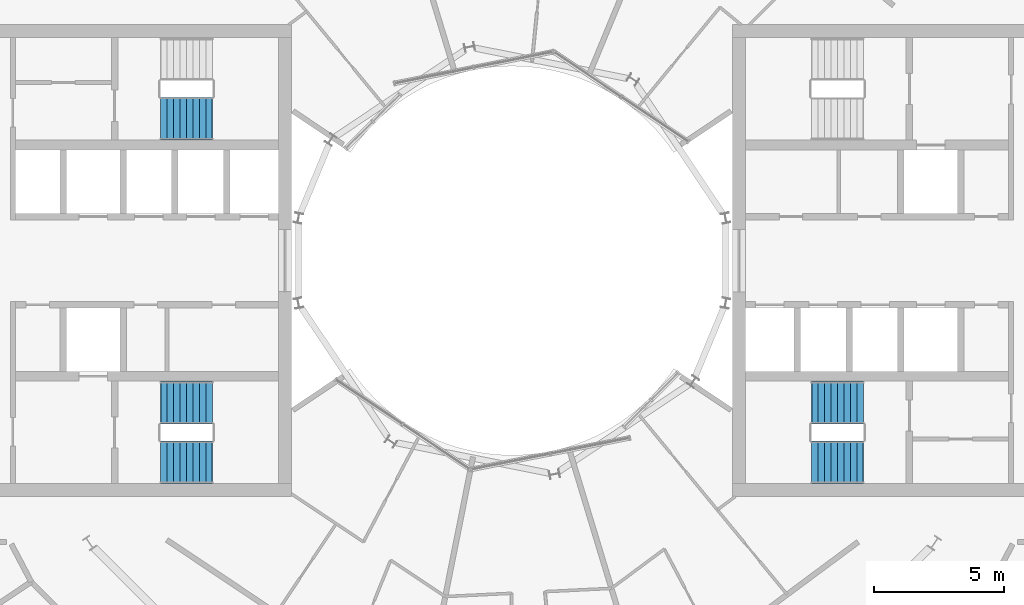
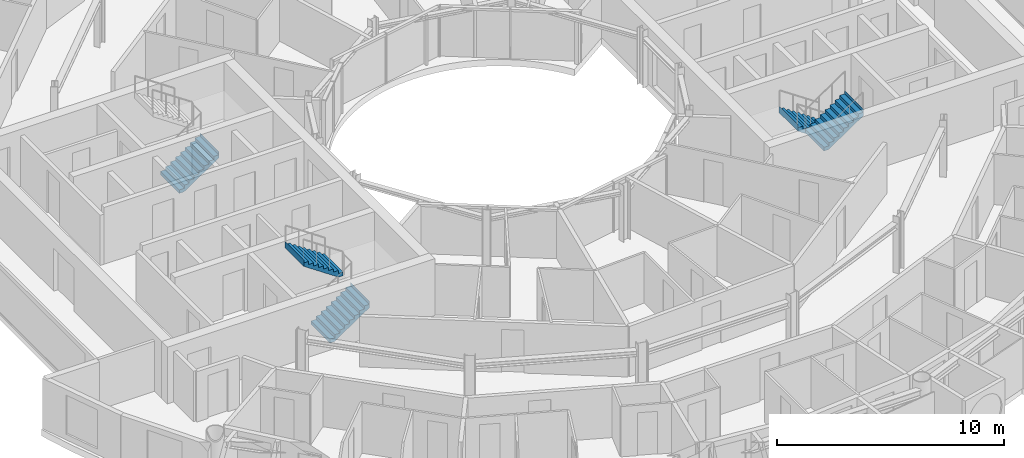
# One storey, part 24 of 27: 5 stair flights, 3 elements without a shape of their own.
"""IFC4 building model written with IfcOpenShell, lengths in metres."""

from ifc_helpers import new_model, si_unit, direction, frame, origin, place, context, subcontext, project, spatial, triangles, material, type_object, element, aggregate, save


model = new_model("IFC4")

# Units and contexts
model_context = context("Model", 3, precision=1e-05, world=origin(), true_north=direction((0.0, 1.0)))
body_context = subcontext(model_context, "Body", "Model", "MODEL_VIEW")
ifc_project = project(units=[si_unit("LENGTHUNIT", "METRE"), si_unit("AREAUNIT", "SQUARE_METRE"), si_unit("VOLUMEUNIT", "CUBIC_METRE"), si_unit("PLANEANGLEUNIT", "RADIAN"), si_unit("MASSUNIT", "GRAM", prefix="KILO")], contexts=[model_context])

# Site, building, storey
site_placement = place(None, origin())
site = spatial("IfcSite", under=ifc_project, at=site_placement, CompositionType="ELEMENT")
building_placement = place(site_placement, origin())
building = spatial("IfcBuilding", under=site, at=building_placement, Name="Maasbend Ring Residences", CompositionType="ELEMENT")
storey_placement = place(building_placement, frame((0.0, 0.0, 167.699951171875)))
storey = spatial("IfcBuildingStorey", under=building, at=storey_placement, Name="L48", CompositionType="ELEMENT", Elevation=167.699951171875)

# Stair, stair flights
ifc_material_1 = material(Name="Concrete C40/50", Category="concrete")
stair_type = type_object("IfcStairType", Name="CORE STAIR 18 RISERS", PredefinedType="HALF_TURN_STAIR", material=ifc_material_1)
stair_1_placement = place(storey_placement, origin())
stair_1 = element("IfcStair", 1, at=stair_1_placement, inside=storey, type_object=stair_type, Name="L48 Exit stair ST-E2", PredefinedType="HALF_TURN_STAIR")
ifc_material_2 = material(Name="Concrete C40/50", Category="concrete")
stair_flight_type = type_object("IfcStairFlightType", Name="CORE STAIR FLIGHT 1650", PredefinedType="STRAIGHT", material=ifc_material_2)
stair_flight_1_placement = place(storey_placement, frame((13.550048828125, -5.47509765625, 0.0), z_axis=(0.0, 0.0, 1.0), x_axis=(-1.0, 0.0, 0.0)))
stair_flight_1 = element("IfcStairFlight", 2, at=stair_flight_1_placement, type_object=stair_flight_type, Name="ST-E2 flight 1", NumberOfRisers=9, NumberOfTreads=8, PredefinedType="STRAIGHT", RiserHeight=0.169444444, TreadLength=0.25, context=body_context, shape_type="Tessellation", body=[
    triangles([(0.24072265625, 0.824951171875, -0.02001953125), (2.0029296875, 0.824951171875, 1.174560546875), (2.0029296875, 0.824951171875, 1.52490234375), (1.989990234375, 0.824951171875, 1.35546875), (1.75, 0.824951171875, 1.35546875), (1.75, 0.824951171875, 1.18603515625), (1.5, 0.824951171875, 1.18603515625), (1.5, 0.824951171875, 1.0166015625), (1.25, 0.824951171875, 1.0166015625), (1.25, 0.824951171875, 0.84716796875), (1.0, 0.824951171875, 0.84716796875), (1.0, 0.824951171875, 0.677734375), (0.75, 0.824951171875, 0.677734375), (0.75, 0.824951171875, 0.50830078125), (0.5, 0.824951171875, 0.50830078125), (0.5, 0.824951171875, 0.3388671875), (0.25, 0.824951171875, 0.3388671875), (0.25, 0.824951171875, 0.16943359375), (0.0, 0.824951171875, 0.16943359375), (0.0, 0.824951171875, 0.0), (-0.0029296875, 0.824951171875, 0.0), (-0.0029296875, 0.824951171875, -0.02001953125), (0.24072265625, 0.27490234375, -0.02001953125), (2.0029296875, 0.27490234375, 1.174560546875), (2.0029296875, 0.27490234375, 1.52490234375), (1.989990234375, 0.27490234375, 1.35546875), (1.75, 0.27490234375, 1.35546875), (1.75, 0.27490234375, 1.18603515625), (1.5, 0.27490234375, 1.18603515625), (1.5, 0.27490234375, 1.0166015625), (1.25, 0.27490234375, 1.0166015625), (1.25, 0.27490234375, 0.84716796875), (1.0, 0.27490234375, 0.84716796875), (1.0, 0.27490234375, 0.677734375), (0.75, 0.27490234375, 0.677734375), (0.75, 0.27490234375, 0.50830078125), (0.5, 0.27490234375, 0.50830078125), (0.5, 0.27490234375, 0.3388671875), (0.25, 0.27490234375, 0.3388671875), (0.25, 0.27490234375, 0.16943359375), (0.0, 0.27490234375, 0.16943359375), (0.0, 0.27490234375, 0.0), (-0.0029296875, 0.27490234375, 0.0), (-0.0029296875, 0.27490234375, -0.02001953125), (0.24072265625, -0.27490234375, -0.02001953125), (2.0029296875, -0.27490234375, 1.174560546875), (2.0029296875, -0.27490234375, 1.52490234375), (1.989990234375, -0.27490234375, 1.35546875), (1.75, -0.27490234375, 1.35546875), (1.75, -0.27490234375, 1.18603515625), (1.5, -0.27490234375, 1.18603515625), (1.5, -0.27490234375, 1.0166015625), (1.25, -0.27490234375, 1.0166015625), (1.25, -0.27490234375, 0.84716796875), (1.0, -0.27490234375, 0.84716796875), (1.0, -0.27490234375, 0.677734375), (0.75, -0.27490234375, 0.677734375), (0.75, -0.27490234375, 0.50830078125), (0.5, -0.27490234375, 0.50830078125), (0.5, -0.27490234375, 0.3388671875), (0.25, -0.27490234375, 0.3388671875), (0.25, -0.27490234375, 0.16943359375), (0.0, -0.27490234375, 0.16943359375), (0.0, -0.27490234375, 0.0), (-0.0029296875, -0.27490234375, 0.0), (-0.0029296875, -0.27490234375, -0.02001953125), (0.24072265625, -0.824951171875, -0.02001953125), (2.0029296875, -0.824951171875, 1.174560546875), (2.0029296875, -0.824951171875, 1.52490234375), (1.989990234375, -0.824951171875, 1.35546875), (1.75, -0.824951171875, 1.35546875), (1.75, -0.824951171875, 1.18603515625), (1.5, -0.824951171875, 1.18603515625), (1.5, -0.824951171875, 1.0166015625), (1.25, -0.824951171875, 1.0166015625), (1.25, -0.824951171875, 0.84716796875), (1.0, -0.824951171875, 0.84716796875), (1.0, -0.824951171875, 0.677734375), (0.75, -0.824951171875, 0.677734375), (0.75, -0.824951171875, 0.50830078125), (0.5, -0.824951171875, 0.50830078125), (0.5, -0.824951171875, 0.3388671875), (0.25, -0.824951171875, 0.3388671875), (0.25, -0.824951171875, 0.16943359375), (0.0, -0.824951171875, 0.16943359375), (0.0, -0.824951171875, 0.0), (-0.0029296875, -0.824951171875, 0.0), (-0.0029296875, -0.824951171875, -0.02001953125)], [[1, 2, 24], [1, 24, 23], [23, 24, 46], [23, 46, 45], [45, 46, 68], [45, 68, 67], [2, 3, 25], [2, 25, 24], [24, 25, 47], [24, 47, 46], [46, 47, 69], [46, 69, 68], [3, 4, 26], [3, 26, 25], [25, 26, 48], [25, 48, 47], [47, 48, 70], [47, 70, 69], [4, 5, 27], [4, 27, 26], [26, 27, 49], [26, 49, 48], [48, 49, 71], [48, 71, 70], [5, 6, 28], [5, 28, 27], [27, 28, 50], [27, 50, 49], [49, 50, 72], [49, 72, 71], [6, 7, 29], [6, 29, 28], [28, 29, 51], [28, 51, 50], [50, 51, 73], [50, 73, 72], [7, 8, 30], [7, 30, 29], [29, 30, 52], [29, 52, 51], [51, 52, 74], [51, 74, 73], [8, 9, 31], [8, 31, 30], [30, 31, 53], [30, 53, 52], [52, 53, 75], [52, 75, 74], [9, 10, 32], [9, 32, 31], [31, 32, 54], [31, 54, 53], [53, 54, 76], [53, 76, 75], [10, 11, 33], [10, 33, 32], [32, 33, 55], [32, 55, 54], [54, 55, 77], [54, 77, 76], [11, 12, 34], [11, 34, 33], [33, 34, 56], [33, 56, 55], [55, 56, 78], [55, 78, 77], [12, 13, 35], [12, 35, 34], [34, 35, 57], [34, 57, 56], [56, 57, 79], [56, 79, 78], [13, 14, 36], [13, 36, 35], [35, 36, 58], [35, 58, 57], [57, 58, 80], [57, 80, 79], [14, 15, 37], [14, 37, 36], [36, 37, 59], [36, 59, 58], [58, 59, 81], [58, 81, 80], [15, 16, 38], [15, 38, 37], [37, 38, 60], [37, 60, 59], [59, 60, 82], [59, 82, 81], [16, 17, 39], [16, 39, 38], [38, 39, 61], [38, 61, 60], [60, 61, 83], [60, 83, 82], [17, 18, 40], [17, 40, 39], [39, 40, 62], [39, 62, 61], [61, 62, 84], [61, 84, 83], [18, 19, 41], [18, 41, 40], [40, 41, 63], [40, 63, 62], [62, 63, 85], [62, 85, 84], [19, 20, 42], [19, 42, 41], [41, 42, 64], [41, 64, 63], [63, 64, 86], [63, 86, 85], [20, 21, 43], [20, 43, 42], [42, 43, 65], [42, 65, 64], [64, 65, 87], [64, 87, 86], [21, 22, 44], [21, 44, 43], [43, 44, 66], [43, 66, 65], [65, 66, 88], [65, 88, 87], [22, 1, 23], [22, 23, 44], [44, 23, 45], [44, 45, 66], [66, 45, 67], [66, 67, 88], [22, 2, 1], [2, 4, 3], [2, 5, 4], [2, 6, 5], [22, 6, 2], [6, 8, 7], [22, 8, 6], [8, 10, 9], [22, 10, 8], [10, 12, 11], [22, 12, 10], [12, 14, 13], [22, 14, 12], [14, 16, 15], [22, 16, 14], [16, 18, 17], [22, 18, 16], [18, 20, 19], [22, 20, 18], [20, 22, 21], [88, 67, 68], [68, 69, 70], [68, 70, 71], [68, 71, 72], [88, 68, 72], [72, 73, 74], [88, 72, 74], [74, 75, 76], [88, 74, 76], [76, 77, 78], [88, 76, 78], [78, 79, 80], [88, 78, 80], [80, 81, 82], [88, 80, 82], [82, 83, 84], [88, 82, 84], [84, 85, 86], [88, 84, 86], [86, 87, 88]], closed=True),
])
stair_flight_2_placement = place(storey_placement, frame((11.550048828125, -7.77490234375, 1.525146484375), z_axis=(0.0, 0.0, 1.0), x_axis=(1.0, 0.0, 0.0)))
stair_flight_2 = element("IfcStairFlight", 3, at=stair_flight_2_placement, type_object=stair_flight_type, Name="ST-E2 flight 2", NumberOfRisers=9, NumberOfTreads=8, PredefinedType="STRAIGHT", RiserHeight=0.169444444, TreadLength=0.25, context=body_context, shape_type="Tessellation", body=[
    triangles([(0.24072265625, 0.824951171875, -0.02001953125), (2.0029296875, 0.824951171875, 1.174560546875), (2.0029296875, 0.824951171875, 1.52490234375), (1.989990234375, 0.824951171875, 1.35546875), (1.75, 0.824951171875, 1.35546875), (1.75, 0.824951171875, 1.18603515625), (1.5, 0.824951171875, 1.18603515625), (1.5, 0.824951171875, 1.0166015625), (1.25, 0.824951171875, 1.0166015625), (1.25, 0.824951171875, 0.84716796875), (1.0, 0.824951171875, 0.84716796875), (1.0, 0.824951171875, 0.677734375), (0.75, 0.824951171875, 0.677734375), (0.75, 0.824951171875, 0.50830078125), (0.5, 0.824951171875, 0.50830078125), (0.5, 0.824951171875, 0.3388671875), (0.25, 0.824951171875, 0.3388671875), (0.25, 0.824951171875, 0.16943359375), (0.0, 0.824951171875, 0.16943359375), (0.0, 0.824951171875, 0.0), (-0.0029296875, 0.824951171875, 0.0), (-0.0029296875, 0.824951171875, -0.02001953125), (0.24072265625, 0.27490234375, -0.02001953125), (2.0029296875, 0.27490234375, 1.174560546875), (2.0029296875, 0.27490234375, 1.52490234375), (1.989990234375, 0.27490234375, 1.35546875), (1.75, 0.27490234375, 1.35546875), (1.75, 0.27490234375, 1.18603515625), (1.5, 0.27490234375, 1.18603515625), (1.5, 0.27490234375, 1.0166015625), (1.25, 0.27490234375, 1.0166015625), (1.25, 0.27490234375, 0.84716796875), (1.0, 0.27490234375, 0.84716796875), (1.0, 0.27490234375, 0.677734375), (0.75, 0.27490234375, 0.677734375), (0.75, 0.27490234375, 0.50830078125), (0.5, 0.27490234375, 0.50830078125), (0.5, 0.27490234375, 0.3388671875), (0.25, 0.27490234375, 0.3388671875), (0.25, 0.27490234375, 0.16943359375), (0.0, 0.27490234375, 0.16943359375), (0.0, 0.27490234375, 0.0), (-0.0029296875, 0.27490234375, 0.0), (-0.0029296875, 0.27490234375, -0.02001953125), (0.24072265625, -0.27490234375, -0.02001953125), (2.0029296875, -0.27490234375, 1.174560546875), (2.0029296875, -0.27490234375, 1.52490234375), (1.989990234375, -0.27490234375, 1.35546875), (1.75, -0.27490234375, 1.35546875), (1.75, -0.27490234375, 1.18603515625), (1.5, -0.27490234375, 1.18603515625), (1.5, -0.27490234375, 1.0166015625), (1.25, -0.27490234375, 1.0166015625), (1.25, -0.27490234375, 0.84716796875), (1.0, -0.27490234375, 0.84716796875), (1.0, -0.27490234375, 0.677734375), (0.75, -0.27490234375, 0.677734375), (0.75, -0.27490234375, 0.50830078125), (0.5, -0.27490234375, 0.50830078125), (0.5, -0.27490234375, 0.3388671875), (0.25, -0.27490234375, 0.3388671875), (0.25, -0.27490234375, 0.16943359375), (0.0, -0.27490234375, 0.16943359375), (0.0, -0.27490234375, 0.0), (-0.0029296875, -0.27490234375, 0.0), (-0.0029296875, -0.27490234375, -0.02001953125), (0.24072265625, -0.824951171875, -0.02001953125), (2.0029296875, -0.824951171875, 1.174560546875), (2.0029296875, -0.824951171875, 1.52490234375), (1.989990234375, -0.824951171875, 1.35546875), (1.75, -0.824951171875, 1.35546875), (1.75, -0.824951171875, 1.18603515625), (1.5, -0.824951171875, 1.18603515625), (1.5, -0.824951171875, 1.0166015625), (1.25, -0.824951171875, 1.0166015625), (1.25, -0.824951171875, 0.84716796875), (1.0, -0.824951171875, 0.84716796875), (1.0, -0.824951171875, 0.677734375), (0.75, -0.824951171875, 0.677734375), (0.75, -0.824951171875, 0.50830078125), (0.5, -0.824951171875, 0.50830078125), (0.5, -0.824951171875, 0.3388671875), (0.25, -0.824951171875, 0.3388671875), (0.25, -0.824951171875, 0.16943359375), (0.0, -0.824951171875, 0.16943359375), (0.0, -0.824951171875, 0.0), (-0.0029296875, -0.824951171875, 0.0), (-0.0029296875, -0.824951171875, -0.02001953125)], [[1, 2, 24], [1, 24, 23], [23, 24, 46], [23, 46, 45], [45, 46, 68], [45, 68, 67], [2, 3, 25], [2, 25, 24], [24, 25, 47], [24, 47, 46], [46, 47, 69], [46, 69, 68], [3, 4, 26], [3, 26, 25], [25, 26, 48], [25, 48, 47], [47, 48, 70], [47, 70, 69], [4, 5, 27], [4, 27, 26], [26, 27, 49], [26, 49, 48], [48, 49, 71], [48, 71, 70], [5, 6, 28], [5, 28, 27], [27, 28, 50], [27, 50, 49], [49, 50, 72], [49, 72, 71], [6, 7, 29], [6, 29, 28], [28, 29, 51], [28, 51, 50], [50, 51, 73], [50, 73, 72], [7, 8, 30], [7, 30, 29], [29, 30, 52], [29, 52, 51], [51, 52, 74], [51, 74, 73], [8, 9, 31], [8, 31, 30], [30, 31, 53], [30, 53, 52], [52, 53, 75], [52, 75, 74], [9, 10, 32], [9, 32, 31], [31, 32, 54], [31, 54, 53], [53, 54, 76], [53, 76, 75], [10, 11, 33], [10, 33, 32], [32, 33, 55], [32, 55, 54], [54, 55, 77], [54, 77, 76], [11, 12, 34], [11, 34, 33], [33, 34, 56], [33, 56, 55], [55, 56, 78], [55, 78, 77], [12, 13, 35], [12, 35, 34], [34, 35, 57], [34, 57, 56], [56, 57, 79], [56, 79, 78], [13, 14, 36], [13, 36, 35], [35, 36, 58], [35, 58, 57], [57, 58, 80], [57, 80, 79], [14, 15, 37], [14, 37, 36], [36, 37, 59], [36, 59, 58], [58, 59, 81], [58, 81, 80], [15, 16, 38], [15, 38, 37], [37, 38, 60], [37, 60, 59], [59, 60, 82], [59, 82, 81], [16, 17, 39], [16, 39, 38], [38, 39, 61], [38, 61, 60], [60, 61, 83], [60, 83, 82], [17, 18, 40], [17, 40, 39], [39, 40, 62], [39, 62, 61], [61, 62, 84], [61, 84, 83], [18, 19, 41], [18, 41, 40], [40, 41, 63], [40, 63, 62], [62, 63, 85], [62, 85, 84], [19, 20, 42], [19, 42, 41], [41, 42, 64], [41, 64, 63], [63, 64, 86], [63, 86, 85], [20, 21, 43], [20, 43, 42], [42, 43, 65], [42, 65, 64], [64, 65, 87], [64, 87, 86], [21, 22, 44], [21, 44, 43], [43, 44, 66], [43, 66, 65], [65, 66, 88], [65, 88, 87], [22, 1, 23], [22, 23, 44], [44, 23, 45], [44, 45, 66], [66, 45, 67], [66, 67, 88], [22, 2, 1], [2, 4, 3], [2, 5, 4], [2, 6, 5], [22, 6, 2], [6, 8, 7], [22, 8, 6], [8, 10, 9], [22, 10, 8], [10, 12, 11], [22, 12, 10], [12, 14, 13], [22, 14, 12], [14, 16, 15], [22, 16, 14], [16, 18, 17], [22, 18, 16], [18, 20, 19], [22, 20, 18], [20, 22, 21], [88, 67, 68], [68, 69, 70], [68, 70, 71], [68, 71, 72], [88, 68, 72], [72, 73, 74], [88, 72, 74], [74, 75, 76], [88, 74, 76], [76, 77, 78], [88, 76, 78], [78, 79, 80], [88, 78, 80], [80, 81, 82], [88, 80, 82], [82, 83, 84], [88, 82, 84], [84, 85, 86], [88, 84, 86], [86, 87, 88]], closed=True),
])
aggregate(stair_1, [stair_flight_1, stair_flight_2])

stair_2_placement = place(storey_placement, origin())
stair_2 = element("IfcStair", 4, at=stair_2_placement, inside=storey, type_object=stair_type, Name="L48 Exit stair ST-W1", PredefinedType="HALF_TURN_STAIR")
stair_flight_3_placement = place(storey_placement, frame((-13.550048828125, -7.77490234375, 0.0), z_axis=(0.0, 0.0, 1.0), x_axis=(1.0, 0.0, 0.0)))
stair_flight_3 = element("IfcStairFlight", 5, at=stair_flight_3_placement, type_object=stair_flight_type, Name="ST-W1 flight 1", NumberOfRisers=9, NumberOfTreads=8, PredefinedType="STRAIGHT", RiserHeight=0.169444444, TreadLength=0.25, context=body_context, shape_type="Tessellation", body=[
    triangles([(0.24072265625, 0.824951171875, -0.02001953125), (2.0029296875, 0.824951171875, 1.174560546875), (2.0029296875, 0.824951171875, 1.52490234375), (1.989990234375, 0.824951171875, 1.35546875), (1.75, 0.824951171875, 1.35546875), (1.75, 0.824951171875, 1.18603515625), (1.5, 0.824951171875, 1.18603515625), (1.5, 0.824951171875, 1.0166015625), (1.25, 0.824951171875, 1.0166015625), (1.25, 0.824951171875, 0.84716796875), (1.0, 0.824951171875, 0.84716796875), (1.0, 0.824951171875, 0.677734375), (0.75, 0.824951171875, 0.677734375), (0.75, 0.824951171875, 0.50830078125), (0.5, 0.824951171875, 0.50830078125), (0.5, 0.824951171875, 0.3388671875), (0.25, 0.824951171875, 0.3388671875), (0.25, 0.824951171875, 0.16943359375), (0.0, 0.824951171875, 0.16943359375), (0.0, 0.824951171875, 0.0), (-0.0029296875, 0.824951171875, 0.0), (-0.0029296875, 0.824951171875, -0.02001953125), (0.24072265625, 0.27490234375, -0.02001953125), (2.0029296875, 0.27490234375, 1.174560546875), (2.0029296875, 0.27490234375, 1.52490234375), (1.989990234375, 0.27490234375, 1.35546875), (1.75, 0.27490234375, 1.35546875), (1.75, 0.27490234375, 1.18603515625), (1.5, 0.27490234375, 1.18603515625), (1.5, 0.27490234375, 1.0166015625), (1.25, 0.27490234375, 1.0166015625), (1.25, 0.27490234375, 0.84716796875), (1.0, 0.27490234375, 0.84716796875), (1.0, 0.27490234375, 0.677734375), (0.75, 0.27490234375, 0.677734375), (0.75, 0.27490234375, 0.50830078125), (0.5, 0.27490234375, 0.50830078125), (0.5, 0.27490234375, 0.3388671875), (0.25, 0.27490234375, 0.3388671875), (0.25, 0.27490234375, 0.16943359375), (0.0, 0.27490234375, 0.16943359375), (0.0, 0.27490234375, 0.0), (-0.0029296875, 0.27490234375, 0.0), (-0.0029296875, 0.27490234375, -0.02001953125), (0.24072265625, -0.27490234375, -0.02001953125), (2.0029296875, -0.27490234375, 1.174560546875), (2.0029296875, -0.27490234375, 1.52490234375), (1.989990234375, -0.27490234375, 1.35546875), (1.75, -0.27490234375, 1.35546875), (1.75, -0.27490234375, 1.18603515625), (1.5, -0.27490234375, 1.18603515625), (1.5, -0.27490234375, 1.0166015625), (1.25, -0.27490234375, 1.0166015625), (1.25, -0.27490234375, 0.84716796875), (1.0, -0.27490234375, 0.84716796875), (1.0, -0.27490234375, 0.677734375), (0.75, -0.27490234375, 0.677734375), (0.75, -0.27490234375, 0.50830078125), (0.5, -0.27490234375, 0.50830078125), (0.5, -0.27490234375, 0.3388671875), (0.25, -0.27490234375, 0.3388671875), (0.25, -0.27490234375, 0.16943359375), (0.0, -0.27490234375, 0.16943359375), (0.0, -0.27490234375, 0.0), (-0.0029296875, -0.27490234375, 0.0), (-0.0029296875, -0.27490234375, -0.02001953125), (0.24072265625, -0.824951171875, -0.02001953125), (2.0029296875, -0.824951171875, 1.174560546875), (2.0029296875, -0.824951171875, 1.52490234375), (1.989990234375, -0.824951171875, 1.35546875), (1.75, -0.824951171875, 1.35546875), (1.75, -0.824951171875, 1.18603515625), (1.5, -0.824951171875, 1.18603515625), (1.5, -0.824951171875, 1.0166015625), (1.25, -0.824951171875, 1.0166015625), (1.25, -0.824951171875, 0.84716796875), (1.0, -0.824951171875, 0.84716796875), (1.0, -0.824951171875, 0.677734375), (0.75, -0.824951171875, 0.677734375), (0.75, -0.824951171875, 0.50830078125), (0.5, -0.824951171875, 0.50830078125), (0.5, -0.824951171875, 0.3388671875), (0.25, -0.824951171875, 0.3388671875), (0.25, -0.824951171875, 0.16943359375), (0.0, -0.824951171875, 0.16943359375), (0.0, -0.824951171875, 0.0), (-0.0029296875, -0.824951171875, 0.0), (-0.0029296875, -0.824951171875, -0.02001953125)], [[1, 2, 24], [1, 24, 23], [23, 24, 46], [23, 46, 45], [45, 46, 68], [45, 68, 67], [2, 3, 25], [2, 25, 24], [24, 25, 47], [24, 47, 46], [46, 47, 69], [46, 69, 68], [3, 4, 26], [3, 26, 25], [25, 26, 48], [25, 48, 47], [47, 48, 70], [47, 70, 69], [4, 5, 27], [4, 27, 26], [26, 27, 49], [26, 49, 48], [48, 49, 71], [48, 71, 70], [5, 6, 28], [5, 28, 27], [27, 28, 50], [27, 50, 49], [49, 50, 72], [49, 72, 71], [6, 7, 29], [6, 29, 28], [28, 29, 51], [28, 51, 50], [50, 51, 73], [50, 73, 72], [7, 8, 30], [7, 30, 29], [29, 30, 52], [29, 52, 51], [51, 52, 74], [51, 74, 73], [8, 9, 31], [8, 31, 30], [30, 31, 53], [30, 53, 52], [52, 53, 75], [52, 75, 74], [9, 10, 32], [9, 32, 31], [31, 32, 54], [31, 54, 53], [53, 54, 76], [53, 76, 75], [10, 11, 33], [10, 33, 32], [32, 33, 55], [32, 55, 54], [54, 55, 77], [54, 77, 76], [11, 12, 34], [11, 34, 33], [33, 34, 56], [33, 56, 55], [55, 56, 78], [55, 78, 77], [12, 13, 35], [12, 35, 34], [34, 35, 57], [34, 57, 56], [56, 57, 79], [56, 79, 78], [13, 14, 36], [13, 36, 35], [35, 36, 58], [35, 58, 57], [57, 58, 80], [57, 80, 79], [14, 15, 37], [14, 37, 36], [36, 37, 59], [36, 59, 58], [58, 59, 81], [58, 81, 80], [15, 16, 38], [15, 38, 37], [37, 38, 60], [37, 60, 59], [59, 60, 82], [59, 82, 81], [16, 17, 39], [16, 39, 38], [38, 39, 61], [38, 61, 60], [60, 61, 83], [60, 83, 82], [17, 18, 40], [17, 40, 39], [39, 40, 62], [39, 62, 61], [61, 62, 84], [61, 84, 83], [18, 19, 41], [18, 41, 40], [40, 41, 63], [40, 63, 62], [62, 63, 85], [62, 85, 84], [19, 20, 42], [19, 42, 41], [41, 42, 64], [41, 64, 63], [63, 64, 86], [63, 86, 85], [20, 21, 43], [20, 43, 42], [42, 43, 65], [42, 65, 64], [64, 65, 87], [64, 87, 86], [21, 22, 44], [21, 44, 43], [43, 44, 66], [43, 66, 65], [65, 66, 88], [65, 88, 87], [22, 1, 23], [22, 23, 44], [44, 23, 45], [44, 45, 66], [66, 45, 67], [66, 67, 88], [22, 2, 1], [2, 4, 3], [2, 5, 4], [2, 6, 5], [22, 6, 2], [6, 8, 7], [22, 8, 6], [8, 10, 9], [22, 10, 8], [10, 12, 11], [22, 12, 10], [12, 14, 13], [22, 14, 12], [14, 16, 15], [22, 16, 14], [16, 18, 17], [22, 18, 16], [18, 20, 19], [22, 20, 18], [20, 22, 21], [88, 67, 68], [68, 69, 70], [68, 70, 71], [68, 71, 72], [88, 68, 72], [72, 73, 74], [88, 72, 74], [74, 75, 76], [88, 74, 76], [76, 77, 78], [88, 76, 78], [78, 79, 80], [88, 78, 80], [80, 81, 82], [88, 80, 82], [82, 83, 84], [88, 82, 84], [84, 85, 86], [88, 84, 86], [86, 87, 88]], closed=True),
])
stair_flight_4_placement = place(storey_placement, frame((-11.550048828125, -5.47509765625, 1.525146484375), z_axis=(0.0, 0.0, 1.0), x_axis=(-1.0, 0.0, 0.0)))
stair_flight_4 = element("IfcStairFlight", 6, at=stair_flight_4_placement, type_object=stair_flight_type, Name="ST-W1 flight 2", NumberOfRisers=9, NumberOfTreads=8, PredefinedType="STRAIGHT", RiserHeight=0.169444444, TreadLength=0.25, context=body_context, shape_type="Tessellation", body=[
    triangles([(0.24072265625, 0.824951171875, -0.02001953125), (2.0029296875, 0.824951171875, 1.174560546875), (2.0029296875, 0.824951171875, 1.52490234375), (1.989990234375, 0.824951171875, 1.35546875), (1.75, 0.824951171875, 1.35546875), (1.75, 0.824951171875, 1.18603515625), (1.5, 0.824951171875, 1.18603515625), (1.5, 0.824951171875, 1.0166015625), (1.25, 0.824951171875, 1.0166015625), (1.25, 0.824951171875, 0.84716796875), (1.0, 0.824951171875, 0.84716796875), (1.0, 0.824951171875, 0.677734375), (0.75, 0.824951171875, 0.677734375), (0.75, 0.824951171875, 0.50830078125), (0.5, 0.824951171875, 0.50830078125), (0.5, 0.824951171875, 0.3388671875), (0.25, 0.824951171875, 0.3388671875), (0.25, 0.824951171875, 0.16943359375), (0.0, 0.824951171875, 0.16943359375), (0.0, 0.824951171875, 0.0), (-0.0029296875, 0.824951171875, 0.0), (-0.0029296875, 0.824951171875, -0.02001953125), (0.24072265625, 0.27490234375, -0.02001953125), (2.0029296875, 0.27490234375, 1.174560546875), (2.0029296875, 0.27490234375, 1.52490234375), (1.989990234375, 0.27490234375, 1.35546875), (1.75, 0.27490234375, 1.35546875), (1.75, 0.27490234375, 1.18603515625), (1.5, 0.27490234375, 1.18603515625), (1.5, 0.27490234375, 1.0166015625), (1.25, 0.27490234375, 1.0166015625), (1.25, 0.27490234375, 0.84716796875), (1.0, 0.27490234375, 0.84716796875), (1.0, 0.27490234375, 0.677734375), (0.75, 0.27490234375, 0.677734375), (0.75, 0.27490234375, 0.50830078125), (0.5, 0.27490234375, 0.50830078125), (0.5, 0.27490234375, 0.3388671875), (0.25, 0.27490234375, 0.3388671875), (0.25, 0.27490234375, 0.16943359375), (0.0, 0.27490234375, 0.16943359375), (0.0, 0.27490234375, 0.0), (-0.0029296875, 0.27490234375, 0.0), (-0.0029296875, 0.27490234375, -0.02001953125), (0.24072265625, -0.27490234375, -0.02001953125), (2.0029296875, -0.27490234375, 1.174560546875), (2.0029296875, -0.27490234375, 1.52490234375), (1.989990234375, -0.27490234375, 1.35546875), (1.75, -0.27490234375, 1.35546875), (1.75, -0.27490234375, 1.18603515625), (1.5, -0.27490234375, 1.18603515625), (1.5, -0.27490234375, 1.0166015625), (1.25, -0.27490234375, 1.0166015625), (1.25, -0.27490234375, 0.84716796875), (1.0, -0.27490234375, 0.84716796875), (1.0, -0.27490234375, 0.677734375), (0.75, -0.27490234375, 0.677734375), (0.75, -0.27490234375, 0.50830078125), (0.5, -0.27490234375, 0.50830078125), (0.5, -0.27490234375, 0.3388671875), (0.25, -0.27490234375, 0.3388671875), (0.25, -0.27490234375, 0.16943359375), (0.0, -0.27490234375, 0.16943359375), (0.0, -0.27490234375, 0.0), (-0.0029296875, -0.27490234375, 0.0), (-0.0029296875, -0.27490234375, -0.02001953125), (0.24072265625, -0.824951171875, -0.02001953125), (2.0029296875, -0.824951171875, 1.174560546875), (2.0029296875, -0.824951171875, 1.52490234375), (1.989990234375, -0.824951171875, 1.35546875), (1.75, -0.824951171875, 1.35546875), (1.75, -0.824951171875, 1.18603515625), (1.5, -0.824951171875, 1.18603515625), (1.5, -0.824951171875, 1.0166015625), (1.25, -0.824951171875, 1.0166015625), (1.25, -0.824951171875, 0.84716796875), (1.0, -0.824951171875, 0.84716796875), (1.0, -0.824951171875, 0.677734375), (0.75, -0.824951171875, 0.677734375), (0.75, -0.824951171875, 0.50830078125), (0.5, -0.824951171875, 0.50830078125), (0.5, -0.824951171875, 0.3388671875), (0.25, -0.824951171875, 0.3388671875), (0.25, -0.824951171875, 0.16943359375), (0.0, -0.824951171875, 0.16943359375), (0.0, -0.824951171875, 0.0), (-0.0029296875, -0.824951171875, 0.0), (-0.0029296875, -0.824951171875, -0.02001953125)], [[1, 2, 24], [1, 24, 23], [23, 24, 46], [23, 46, 45], [45, 46, 68], [45, 68, 67], [2, 3, 25], [2, 25, 24], [24, 25, 47], [24, 47, 46], [46, 47, 69], [46, 69, 68], [3, 4, 26], [3, 26, 25], [25, 26, 48], [25, 48, 47], [47, 48, 70], [47, 70, 69], [4, 5, 27], [4, 27, 26], [26, 27, 49], [26, 49, 48], [48, 49, 71], [48, 71, 70], [5, 6, 28], [5, 28, 27], [27, 28, 50], [27, 50, 49], [49, 50, 72], [49, 72, 71], [6, 7, 29], [6, 29, 28], [28, 29, 51], [28, 51, 50], [50, 51, 73], [50, 73, 72], [7, 8, 30], [7, 30, 29], [29, 30, 52], [29, 52, 51], [51, 52, 74], [51, 74, 73], [8, 9, 31], [8, 31, 30], [30, 31, 53], [30, 53, 52], [52, 53, 75], [52, 75, 74], [9, 10, 32], [9, 32, 31], [31, 32, 54], [31, 54, 53], [53, 54, 76], [53, 76, 75], [10, 11, 33], [10, 33, 32], [32, 33, 55], [32, 55, 54], [54, 55, 77], [54, 77, 76], [11, 12, 34], [11, 34, 33], [33, 34, 56], [33, 56, 55], [55, 56, 78], [55, 78, 77], [12, 13, 35], [12, 35, 34], [34, 35, 57], [34, 57, 56], [56, 57, 79], [56, 79, 78], [13, 14, 36], [13, 36, 35], [35, 36, 58], [35, 58, 57], [57, 58, 80], [57, 80, 79], [14, 15, 37], [14, 37, 36], [36, 37, 59], [36, 59, 58], [58, 59, 81], [58, 81, 80], [15, 16, 38], [15, 38, 37], [37, 38, 60], [37, 60, 59], [59, 60, 82], [59, 82, 81], [16, 17, 39], [16, 39, 38], [38, 39, 61], [38, 61, 60], [60, 61, 83], [60, 83, 82], [17, 18, 40], [17, 40, 39], [39, 40, 62], [39, 62, 61], [61, 62, 84], [61, 84, 83], [18, 19, 41], [18, 41, 40], [40, 41, 63], [40, 63, 62], [62, 63, 85], [62, 85, 84], [19, 20, 42], [19, 42, 41], [41, 42, 64], [41, 64, 63], [63, 64, 86], [63, 86, 85], [20, 21, 43], [20, 43, 42], [42, 43, 65], [42, 65, 64], [64, 65, 87], [64, 87, 86], [21, 22, 44], [21, 44, 43], [43, 44, 66], [43, 66, 65], [65, 66, 88], [65, 88, 87], [22, 1, 23], [22, 23, 44], [44, 23, 45], [44, 45, 66], [66, 45, 67], [66, 67, 88], [22, 2, 1], [2, 4, 3], [2, 5, 4], [2, 6, 5], [22, 6, 2], [6, 8, 7], [22, 8, 6], [8, 10, 9], [22, 10, 8], [10, 12, 11], [22, 12, 10], [12, 14, 13], [22, 14, 12], [14, 16, 15], [22, 16, 14], [16, 18, 17], [22, 18, 16], [18, 20, 19], [22, 20, 18], [20, 22, 21], [88, 67, 68], [68, 69, 70], [68, 70, 71], [68, 71, 72], [88, 68, 72], [72, 73, 74], [88, 72, 74], [74, 75, 76], [88, 74, 76], [76, 77, 78], [88, 76, 78], [78, 79, 80], [88, 78, 80], [80, 81, 82], [88, 80, 82], [82, 83, 84], [88, 82, 84], [84, 85, 86], [88, 84, 86], [86, 87, 88]], closed=True),
])
aggregate(stair_2, [stair_flight_3, stair_flight_4])

# Stair, stair flight
stair_3_placement = place(storey_placement, origin())
stair_3 = element("IfcStair", 7, at=stair_3_placement, inside=storey, type_object=stair_type, Name="L48 Exit stair ST-W2", PredefinedType="HALF_TURN_STAIR")
stair_flight_5_placement = place(storey_placement, frame((-13.550048828125, 5.47509765625, 0.0), z_axis=(0.0, 0.0, 1.0), x_axis=(1.0, 0.0, 0.0)))
stair_flight_5 = element("IfcStairFlight", 8, at=stair_flight_5_placement, type_object=stair_flight_type, Name="ST-W2 flight 1", NumberOfRisers=9, NumberOfTreads=8, PredefinedType="STRAIGHT", RiserHeight=0.169444444, TreadLength=0.25, context=body_context, shape_type="Tessellation", body=[
    triangles([(0.24072265625, 0.824951171875, -0.02001953125), (2.0029296875, 0.824951171875, 1.174560546875), (2.0029296875, 0.824951171875, 1.52490234375), (1.989990234375, 0.824951171875, 1.35546875), (1.75, 0.824951171875, 1.35546875), (1.75, 0.824951171875, 1.18603515625), (1.5, 0.824951171875, 1.18603515625), (1.5, 0.824951171875, 1.0166015625), (1.25, 0.824951171875, 1.0166015625), (1.25, 0.824951171875, 0.84716796875), (1.0, 0.824951171875, 0.84716796875), (1.0, 0.824951171875, 0.677734375), (0.75, 0.824951171875, 0.677734375), (0.75, 0.824951171875, 0.50830078125), (0.5, 0.824951171875, 0.50830078125), (0.5, 0.824951171875, 0.3388671875), (0.25, 0.824951171875, 0.3388671875), (0.25, 0.824951171875, 0.16943359375), (0.0, 0.824951171875, 0.16943359375), (0.0, 0.824951171875, 0.0), (-0.0029296875, 0.824951171875, 0.0), (-0.0029296875, 0.824951171875, -0.02001953125), (0.24072265625, 0.27490234375, -0.02001953125), (2.0029296875, 0.27490234375, 1.174560546875), (2.0029296875, 0.27490234375, 1.52490234375), (1.989990234375, 0.27490234375, 1.35546875), (1.75, 0.27490234375, 1.35546875), (1.75, 0.27490234375, 1.18603515625), (1.5, 0.27490234375, 1.18603515625), (1.5, 0.27490234375, 1.0166015625), (1.25, 0.27490234375, 1.0166015625), (1.25, 0.27490234375, 0.84716796875), (1.0, 0.27490234375, 0.84716796875), (1.0, 0.27490234375, 0.677734375), (0.75, 0.27490234375, 0.677734375), (0.75, 0.27490234375, 0.50830078125), (0.5, 0.27490234375, 0.50830078125), (0.5, 0.27490234375, 0.3388671875), (0.25, 0.27490234375, 0.3388671875), (0.25, 0.27490234375, 0.16943359375), (0.0, 0.27490234375, 0.16943359375), (0.0, 0.27490234375, 0.0), (-0.0029296875, 0.27490234375, 0.0), (-0.0029296875, 0.27490234375, -0.02001953125), (0.24072265625, -0.27490234375, -0.02001953125), (2.0029296875, -0.27490234375, 1.174560546875), (2.0029296875, -0.27490234375, 1.52490234375), (1.989990234375, -0.27490234375, 1.35546875), (1.75, -0.27490234375, 1.35546875), (1.75, -0.27490234375, 1.18603515625), (1.5, -0.27490234375, 1.18603515625), (1.5, -0.27490234375, 1.0166015625), (1.25, -0.27490234375, 1.0166015625), (1.25, -0.27490234375, 0.84716796875), (1.0, -0.27490234375, 0.84716796875), (1.0, -0.27490234375, 0.677734375), (0.75, -0.27490234375, 0.677734375), (0.75, -0.27490234375, 0.50830078125), (0.5, -0.27490234375, 0.50830078125), (0.5, -0.27490234375, 0.3388671875), (0.25, -0.27490234375, 0.3388671875), (0.25, -0.27490234375, 0.16943359375), (0.0, -0.27490234375, 0.16943359375), (0.0, -0.27490234375, 0.0), (-0.0029296875, -0.27490234375, 0.0), (-0.0029296875, -0.27490234375, -0.02001953125), (0.24072265625, -0.824951171875, -0.02001953125), (2.0029296875, -0.824951171875, 1.174560546875), (2.0029296875, -0.824951171875, 1.52490234375), (1.989990234375, -0.824951171875, 1.35546875), (1.75, -0.824951171875, 1.35546875), (1.75, -0.824951171875, 1.18603515625), (1.5, -0.824951171875, 1.18603515625), (1.5, -0.824951171875, 1.0166015625), (1.25, -0.824951171875, 1.0166015625), (1.25, -0.824951171875, 0.84716796875), (1.0, -0.824951171875, 0.84716796875), (1.0, -0.824951171875, 0.677734375), (0.75, -0.824951171875, 0.677734375), (0.75, -0.824951171875, 0.50830078125), (0.5, -0.824951171875, 0.50830078125), (0.5, -0.824951171875, 0.3388671875), (0.25, -0.824951171875, 0.3388671875), (0.25, -0.824951171875, 0.16943359375), (0.0, -0.824951171875, 0.16943359375), (0.0, -0.824951171875, 0.0), (-0.0029296875, -0.824951171875, 0.0), (-0.0029296875, -0.824951171875, -0.02001953125)], [[1, 2, 24], [1, 24, 23], [23, 24, 46], [23, 46, 45], [45, 46, 68], [45, 68, 67], [2, 3, 25], [2, 25, 24], [24, 25, 47], [24, 47, 46], [46, 47, 69], [46, 69, 68], [3, 4, 26], [3, 26, 25], [25, 26, 48], [25, 48, 47], [47, 48, 70], [47, 70, 69], [4, 5, 27], [4, 27, 26], [26, 27, 49], [26, 49, 48], [48, 49, 71], [48, 71, 70], [5, 6, 28], [5, 28, 27], [27, 28, 50], [27, 50, 49], [49, 50, 72], [49, 72, 71], [6, 7, 29], [6, 29, 28], [28, 29, 51], [28, 51, 50], [50, 51, 73], [50, 73, 72], [7, 8, 30], [7, 30, 29], [29, 30, 52], [29, 52, 51], [51, 52, 74], [51, 74, 73], [8, 9, 31], [8, 31, 30], [30, 31, 53], [30, 53, 52], [52, 53, 75], [52, 75, 74], [9, 10, 32], [9, 32, 31], [31, 32, 54], [31, 54, 53], [53, 54, 76], [53, 76, 75], [10, 11, 33], [10, 33, 32], [32, 33, 55], [32, 55, 54], [54, 55, 77], [54, 77, 76], [11, 12, 34], [11, 34, 33], [33, 34, 56], [33, 56, 55], [55, 56, 78], [55, 78, 77], [12, 13, 35], [12, 35, 34], [34, 35, 57], [34, 57, 56], [56, 57, 79], [56, 79, 78], [13, 14, 36], [13, 36, 35], [35, 36, 58], [35, 58, 57], [57, 58, 80], [57, 80, 79], [14, 15, 37], [14, 37, 36], [36, 37, 59], [36, 59, 58], [58, 59, 81], [58, 81, 80], [15, 16, 38], [15, 38, 37], [37, 38, 60], [37, 60, 59], [59, 60, 82], [59, 82, 81], [16, 17, 39], [16, 39, 38], [38, 39, 61], [38, 61, 60], [60, 61, 83], [60, 83, 82], [17, 18, 40], [17, 40, 39], [39, 40, 62], [39, 62, 61], [61, 62, 84], [61, 84, 83], [18, 19, 41], [18, 41, 40], [40, 41, 63], [40, 63, 62], [62, 63, 85], [62, 85, 84], [19, 20, 42], [19, 42, 41], [41, 42, 64], [41, 64, 63], [63, 64, 86], [63, 86, 85], [20, 21, 43], [20, 43, 42], [42, 43, 65], [42, 65, 64], [64, 65, 87], [64, 87, 86], [21, 22, 44], [21, 44, 43], [43, 44, 66], [43, 66, 65], [65, 66, 88], [65, 88, 87], [22, 1, 23], [22, 23, 44], [44, 23, 45], [44, 45, 66], [66, 45, 67], [66, 67, 88], [22, 2, 1], [2, 4, 3], [2, 5, 4], [2, 6, 5], [22, 6, 2], [6, 8, 7], [22, 8, 6], [8, 10, 9], [22, 10, 8], [10, 12, 11], [22, 12, 10], [12, 14, 13], [22, 14, 12], [14, 16, 15], [22, 16, 14], [16, 18, 17], [22, 18, 16], [18, 20, 19], [22, 20, 18], [20, 22, 21], [88, 67, 68], [68, 69, 70], [68, 70, 71], [68, 71, 72], [88, 68, 72], [72, 73, 74], [88, 72, 74], [74, 75, 76], [88, 74, 76], [76, 77, 78], [88, 76, 78], [78, 79, 80], [88, 78, 80], [80, 81, 82], [88, 80, 82], [82, 83, 84], [88, 82, 84], [84, 85, 86], [88, 84, 86], [86, 87, 88]], closed=True),
])
aggregate(stair_3, [stair_flight_5])

save(model, "model.ifc")
